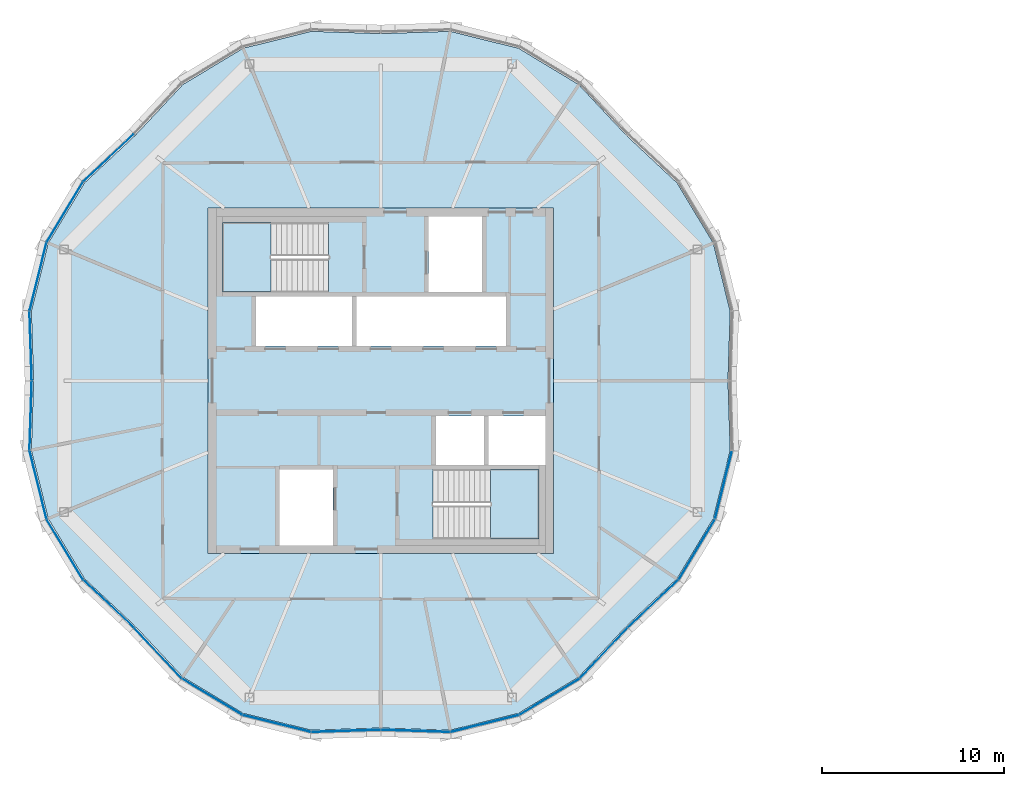
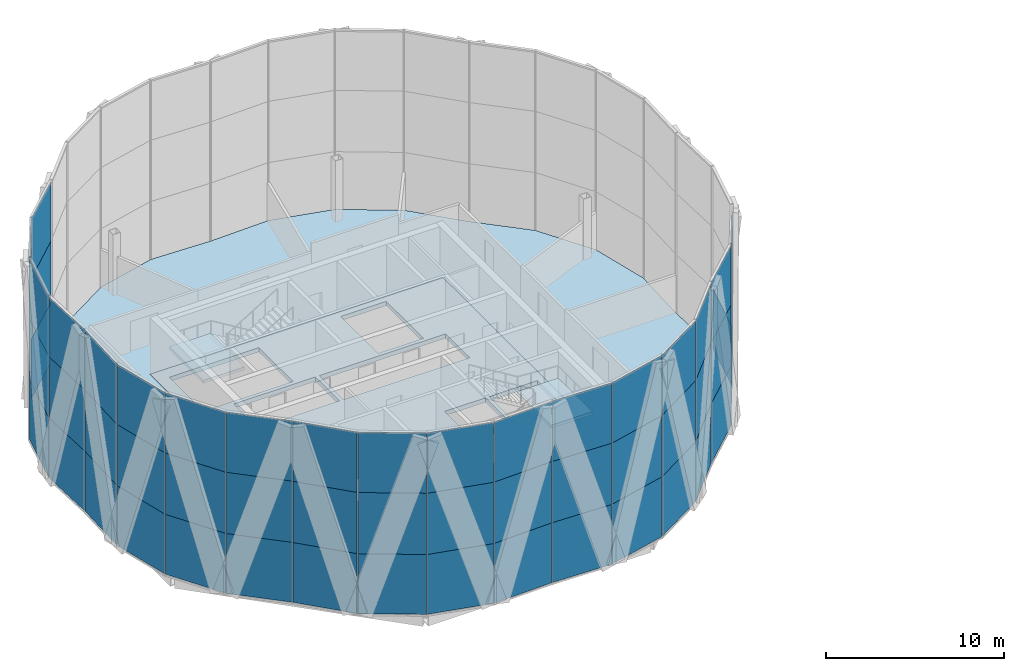
# One storey, part 12 of 23: 55 plates, 4 slabs, 7 elements without a shape of their own.
"""IFC4 building model written with IfcOpenShell, lengths in metres."""

from ifc_helpers import new_model, si_unit, direction, frame, origin, origin_2d, place, context, subcontext, project, spatial, polyline, rectangle, outline, extrude, material, layer, layer_set, type_object, element, aggregate, save


model = new_model("IFC4")

# Units and contexts
model_context = context("Model", 3, precision=1e-05, world=origin(), true_north=direction((0.0, 1.0)))
body_context = subcontext(model_context, "Body", "Model", "MODEL_VIEW")
ifc_project = project(units=[si_unit("LENGTHUNIT", "METRE"), si_unit("AREAUNIT", "SQUARE_METRE"), si_unit("VOLUMEUNIT", "CUBIC_METRE"), si_unit("PLANEANGLEUNIT", "RADIAN"), si_unit("MASSUNIT", "GRAM", prefix="KILO")], contexts=[model_context])

# Site, building, storey
site_placement = place(None, origin())
site = spatial("IfcSite", under=ifc_project, at=site_placement, CompositionType="ELEMENT")
building_placement = place(site_placement, origin())
building = spatial("IfcBuilding", under=site, at=building_placement, Name="Ogive Gate Towers", CompositionType="ELEMENT")
storey_placement = place(building_placement, frame((0.0, 0.0, 256.199951171875)))
storey = spatial("IfcBuildingStorey", under=building, at=storey_placement, Name="L60", CompositionType="ELEMENT", Elevation=256.199951171875)

# Slabs
ifc_material_1 = material(Name="Concrete C40/50", Category="concrete")
ifc_layer_1 = layer(ifc_material_1, 0.300048828125)
ifc_layer_set_1 = layer_set([ifc_layer_1], Name="Core slab C40/50 300 mm")
slab_type_1 = type_object("IfcSlabType", Name="Core slab C40/50 300 mm", PredefinedType="FLOOR", material=ifc_layer_set_1)
slab_1_placement = place(storey_placement, frame((0.0, 0.0, -0.300048828125)))
element("IfcSlab", 1, at=slab_1_placement, inside=storey, type_object=slab_type_1, Name="T1 L60 core slab", PredefinedType="FLOOR", context=body_context, shape_type="SweptSolid", body=[
    extrude(outline(polyline([(-45.5, -9.5), (-45.5, 9.5), (-26.5, 9.5), (-26.5, -9.5), (-45.5, -9.5)]), holes=[polyline([(-42.875, 1.925048828125), (-37.574951171875, 1.925048828125), (-37.574951171875, 4.625), (-42.875, 4.625), (-42.875, 1.925048828125)]), polyline([(-37.324951171875, 4.625), (-37.324951171875, 1.925048828125), (-29.125, 1.925048828125), (-29.125, 4.625), (-37.324951171875, 4.625)]), polyline([(-30.324951171875, -1.925048828125), (-32.97509765625, -1.925048828125), (-32.97509765625, -4.625), (-30.324951171875, -4.625), (-30.324951171875, -1.925048828125)]), polyline([(-26.949951171875, -4.625), (-26.949951171875, -1.925048828125), (-30.074951171875, -1.925048828125), (-30.074951171875, -4.625), (-26.949951171875, -4.625)]), polyline([(-33.375, 4.875), (-30.425048828125, 4.875), (-30.425048828125, 9.050048828125), (-33.375, 9.050048828125), (-33.375, 4.875)]), polyline([(-41.574951171875, -4.875), (-41.574951171875, -9.050048828125), (-38.625, -9.050048828125), (-38.625, -4.875), (-41.574951171875, -4.875)]), polyline([(-44.699951171875, 4.875), (-38.885009765625, 4.875), (-38.885009765625, 8.699951171875), (-44.699951171875, 8.699951171875), (-44.699951171875, 4.875)]), polyline([(-27.300048828125, -8.699951171875), (-27.300048828125, -4.875), (-33.114990234375, -4.875), (-33.114990234375, -8.699951171875), (-27.300048828125, -8.699951171875)])]), origin(), (0.0, 0.0, 1.0), 0.300048828125),
])
ifc_material_2 = material(Name="Concrete C35/45", Category="concrete")
ifc_layer_2 = layer(ifc_material_2, 0.300048828125)
ifc_layer_set_2 = layer_set([ifc_layer_2], Name="Floor slab 300")
slab_type_2 = type_object("IfcSlabType", Name="Floor slab 300", PredefinedType="FLOOR", material=ifc_layer_set_2)
slab_2_placement = place(storey_placement, frame((0.0, 0.0, -0.300048828125)))
element("IfcSlab", 2, at=slab_2_placement, inside=storey, type_object=slab_type_2, Name="T1/L60/SSL001", PredefinedType="FLOOR", context=body_context, shape_type="SweptSolid", body=[
    extrude(outline(polyline([(-16.776611328125, -3.82373046875), (-16.89990234375, 0.0), (-16.776611328125, 3.82373046875), (-17.707275390625, 7.5771484375), (-19.703125, 10.88916015625), (-22.494140625, 13.505859375), (-25.11083984375, 16.296875), (-28.4228515625, 18.292724609375), (-32.17626953125, 19.223388671875), (-36.0, 19.10009765625), (-39.82373046875, 19.223388671875), (-43.5771484375, 18.292724609375), (-46.88916015625, 16.296875), (-49.505859375, 13.505859375), (-52.296875, 10.88916015625), (-54.292724609375, 7.5771484375), (-55.223388671875, 3.82373046875), (-55.10009765625, 0.0), (-55.223388671875, -3.82373046875), (-54.292724609375, -7.5771484375), (-52.296875, -10.88916015625), (-49.505859375, -13.505859375), (-46.88916015625, -16.296875), (-43.5771484375, -18.292724609375), (-39.82373046875, -19.223388671875), (-36.0, -19.10009765625), (-32.17626953125, -19.223388671875), (-28.4228515625, -18.292724609375), (-25.11083984375, -16.296875), (-22.494140625, -13.505859375), (-19.703125, -10.88916015625), (-17.707275390625, -7.5771484375), (-16.776611328125, -3.82373046875)]), holes=[polyline([(-26.5, -9.5), (-45.5, -9.5), (-45.5, 9.5), (-26.5, 9.5), (-26.5, -9.5)])]), origin(), (0.0, 0.0, 1.0), 0.300048828125),
])

# Stair, slab
stair_type = type_object("IfcStairType", Name="Escape stair 1840 wide", PredefinedType="HALF_TURN_STAIR", material=ifc_material_1)
stair_1_placement = place(storey_placement, origin())
stair_1 = element("IfcStair", 3, at=stair_1_placement, inside=storey, type_object=stair_type, Name="L60 Escape stair 1", PredefinedType="HALF_TURN_STAIR")
ifc_layer_3 = layer(ifc_material_1, 0.199951171875)
ifc_layer_set_3 = layer_set([ifc_layer_3], Name="Stair landing 200 mm")
slab_type_3 = type_object("IfcSlabType", Name="Stair landing 200 mm", PredefinedType="LANDING", material=ifc_layer_set_3)
slab_3_placement = place(storey_placement, frame((0.0, 0.0, 1.900146484375)))
slab_3 = element("IfcSlab", 4, at=slab_3_placement, type_object=slab_type_3, Name="ST1 landing 1", PredefinedType="LANDING", context=body_context, shape_type="SweptSolid", body=[
    extrude(outline(polyline([(-42.027587890625, 8.699951171875), (-44.699951171875, 8.699951171875), (-44.699951171875, 4.875), (-42.027587890625, 4.875), (-42.027587890625, 8.699951171875)])), origin(), (0.0, 0.0, 1.0), 0.199951171875),
])
aggregate(stair_1, [slab_3])

stair_2_placement = place(storey_placement, origin())
stair_2 = element("IfcStair", 5, at=stair_2_placement, inside=storey, type_object=stair_type, Name="L60 Escape stair 2", PredefinedType="HALF_TURN_STAIR")
slab_4_placement = place(storey_placement, frame((0.0, 0.0, 1.900146484375)))
slab_4 = element("IfcSlab", 6, at=slab_4_placement, type_object=slab_type_3, Name="ST2 landing 1", PredefinedType="LANDING", context=body_context, shape_type="SweptSolid", body=[
    extrude(outline(polyline([(-29.972412109375, -8.699951171875), (-27.300048828125, -8.699951171875), (-27.300048828125, -4.875), (-29.972412109375, -4.875), (-29.972412109375, -8.699951171875)])), origin(), (0.0, 0.0, 1.0), 0.199951171875),
])
aggregate(stair_2, [slab_4])

# Curtain wall, plates
ifc_material_3 = material(Name="Pale metal aluminium", Category="aluminium")
curtain_wall_type = type_object("IfcCurtainWallType", Name="Tower unitised wall, high zone", PredefinedType="NOTDEFINED", material=ifc_material_3)
curtain_wall_1_placement = place(storey_placement, origin())
curtain_wall_1 = element("IfcCurtainWall", 7, at=curtain_wall_1_placement, inside=storey, type_object=curtain_wall_type, Name="CW2 T1 ECW04", PredefinedType="NOTDEFINED")
ifc_material_4 = material(Name="Clear glass", Category="glass")
ifc_layer_4 = layer(ifc_material_4, 0.028076171875)
ifc_layer_set_4 = layer_set([ifc_layer_4], Name="Tower unitised wall, high zone glass panel")
plate_type = type_object("IfcPlateType", Name="Tower unitised wall, high zone glass panel", PredefinedType="CURTAIN_PANEL", material=ifc_layer_set_4)
plate_1_placement = place(storey_placement, frame((-50.974609375, 12.265869140625, -0.203857421875), z_axis=(0.0, 0.0, 1.0), x_axis=(-0.729541856388, -0.68393616645, 0.0)))
plate_1 = element("IfcPlate", 8, at=plate_1_placement, type_object=plate_type, Name="CW2 glass panel", PredefinedType="CURTAIN_PANEL", context=body_context, shape_type="SweptSolid", body=[
    extrude(rectangle(XDim=3.7783203125, YDim=0.028076171875, at=origin_2d()), origin(), (0.0, 0.0, 1.0), 4.10400390625),
])
plate_2_placement = place(storey_placement, frame((-50.974609375, 12.265869140625, 3.89990234375), z_axis=(0.0, 0.0, 1.0), x_axis=(-0.729541856388, -0.68393616645, 0.0)))
plate_2 = element("IfcPlate", 9, at=plate_2_placement, type_object=plate_type, Name="CW2 glass panel", PredefinedType="CURTAIN_PANEL", context=body_context, shape_type="SweptSolid", body=[
    extrude(rectangle(XDim=3.7783203125, YDim=0.028076171875, at=origin_2d()), origin(), (0.0, 0.0, 1.0), 4.199951171875),
])
plate_3_placement = place(storey_placement, frame((-50.974609375, 12.265869140625, 8.10009765625), z_axis=(0.0, 0.0, 1.0), x_axis=(-0.729541856388, -0.68393616645, 0.0)))
plate_3 = element("IfcPlate", 10, at=plate_3_placement, type_object=plate_type, Name="CW2 glass panel", PredefinedType="CURTAIN_PANEL", context=body_context, shape_type="SweptSolid", body=[
    extrude(rectangle(XDim=3.7783203125, YDim=0.028076171875, at=origin_2d()), origin(), (0.0, 0.0, 1.0), 4.10400390625),
])
plate_4_placement = place(storey_placement, frame((-53.380615234375, 9.2841796875, -0.203857421875), z_axis=(0.0, 0.0, 1.0), x_axis=(-0.51614471402, -0.85650139182, 0.0)))
plate_4 = element("IfcPlate", 11, at=plate_4_placement, type_object=plate_type, Name="CW2 glass panel", PredefinedType="CURTAIN_PANEL", context=body_context, shape_type="SweptSolid", body=[
    extrude(rectangle(XDim=3.833984375, YDim=0.028076171875, at=origin_2d()), origin(), (0.0, 0.0, 1.0), 4.10400390625),
])
plate_5_placement = place(storey_placement, frame((-53.380615234375, 9.2841796875, 3.89990234375), z_axis=(0.0, 0.0, 1.0), x_axis=(-0.51614471402, -0.85650139182, 0.0)))
plate_5 = element("IfcPlate", 12, at=plate_5_placement, type_object=plate_type, Name="CW2 glass panel", PredefinedType="CURTAIN_PANEL", context=body_context, shape_type="SweptSolid", body=[
    extrude(rectangle(XDim=3.833984375, YDim=0.028076171875, at=origin_2d()), origin(), (0.0, 0.0, 1.0), 4.199951171875),
])
plate_6_placement = place(storey_placement, frame((-53.380615234375, 9.2841796875, 8.10009765625), z_axis=(0.0, 0.0, 1.0), x_axis=(-0.51614471402, -0.85650139182, 0.0)))
plate_6 = element("IfcPlate", 13, at=plate_6_placement, type_object=plate_type, Name="CW2 glass panel", PredefinedType="CURTAIN_PANEL", context=body_context, shape_type="SweptSolid", body=[
    extrude(rectangle(XDim=3.833984375, YDim=0.028076171875, at=origin_2d()), origin(), (0.0, 0.0, 1.0), 4.10400390625),
])
plate_7_placement = place(storey_placement, frame((-54.85498046875, 5.72509765625, -0.203857421875), z_axis=(0.0, 0.0, 1.0), x_axis=(-0.240668514894, -0.970607369609, 0.0)))
plate_7 = element("IfcPlate", 14, at=plate_7_placement, type_object=plate_type, Name="CW2 glass panel", PredefinedType="CURTAIN_PANEL", context=body_context, shape_type="SweptSolid", body=[
    extrude(rectangle(XDim=3.833984375, YDim=0.028076171875, at=origin_2d()), origin(), (0.0, 0.0, 1.0), 4.10400390625),
])
plate_8_placement = place(storey_placement, frame((-54.85498046875, 5.72509765625, 3.89990234375), z_axis=(0.0, 0.0, 1.0), x_axis=(-0.240668514894, -0.970607369609, 0.0)))
plate_8 = element("IfcPlate", 15, at=plate_8_placement, type_object=plate_type, Name="CW2 glass panel", PredefinedType="CURTAIN_PANEL", context=body_context, shape_type="SweptSolid", body=[
    extrude(rectangle(XDim=3.833984375, YDim=0.028076171875, at=origin_2d()), origin(), (0.0, 0.0, 1.0), 4.199951171875),
])
plate_9_placement = place(storey_placement, frame((-54.85498046875, 5.72509765625, 8.10009765625), z_axis=(0.0, 0.0, 1.0), x_axis=(-0.240668514894, -0.970607369609, 0.0)))
plate_9 = element("IfcPlate", 16, at=plate_9_placement, type_object=plate_type, Name="CW2 glass panel", PredefinedType="CURTAIN_PANEL", context=body_context, shape_type="SweptSolid", body=[
    extrude(rectangle(XDim=3.833984375, YDim=0.028076171875, at=origin_2d()), origin(), (0.0, 0.0, 1.0), 4.10400390625),
])
plate_10_placement = place(storey_placement, frame((-55.261962890625, 1.915283203125, -0.203857421875), z_axis=(0.0, 0.0, 1.0), x_axis=(0.032248092615, -0.999479895007, 0.0)))
plate_10 = element("IfcPlate", 17, at=plate_10_placement, type_object=plate_type, Name="CW2 glass panel", PredefinedType="CURTAIN_PANEL", context=body_context, shape_type="SweptSolid", body=[
    extrude(rectangle(XDim=3.778564453125, YDim=0.028076171875, at=origin_2d()), origin(), (0.0, 0.0, 1.0), 4.10400390625),
])
plate_11_placement = place(storey_placement, frame((-55.261962890625, 1.915283203125, 3.89990234375), z_axis=(0.0, 0.0, 1.0), x_axis=(0.032248092615, -0.999479895007, 0.0)))
plate_11 = element("IfcPlate", 18, at=plate_11_placement, type_object=plate_type, Name="CW2 glass panel", PredefinedType="CURTAIN_PANEL", context=body_context, shape_type="SweptSolid", body=[
    extrude(rectangle(XDim=3.778564453125, YDim=0.028076171875, at=origin_2d()), origin(), (0.0, 0.0, 1.0), 4.199951171875),
])
plate_12_placement = place(storey_placement, frame((-55.261962890625, 1.915283203125, 8.10009765625), z_axis=(0.0, 0.0, 1.0), x_axis=(0.032248092615, -0.999479895007, 0.0)))
plate_12 = element("IfcPlate", 19, at=plate_12_placement, type_object=plate_type, Name="CW2 glass panel", PredefinedType="CURTAIN_PANEL", context=body_context, shape_type="SweptSolid", body=[
    extrude(rectangle(XDim=3.778564453125, YDim=0.028076171875, at=origin_2d()), origin(), (0.0, 0.0, 1.0), 4.10400390625),
])
aggregate(curtain_wall_1, [plate_1, plate_2, plate_3, plate_4, plate_5, plate_6, plate_7, plate_8, plate_9, plate_10, plate_11, plate_12])

curtain_wall_2_placement = place(storey_placement, origin())
curtain_wall_2 = element("IfcCurtainWall", 20, at=curtain_wall_2_placement, inside=storey, type_object=curtain_wall_type, Name="CW2 T1 ECW05", PredefinedType="NOTDEFINED")
plate_13_placement = place(storey_placement, frame((-55.261962890625, -1.915283203125, -0.203857421875), z_axis=(0.0, 0.0, 1.0), x_axis=(-0.032248092615, -0.999479895007, 0.0)))
plate_13 = element("IfcPlate", 21, at=plate_13_placement, type_object=plate_type, Name="CW2 glass panel", PredefinedType="CURTAIN_PANEL", context=body_context, shape_type="SweptSolid", body=[
    extrude(rectangle(XDim=3.778564453125, YDim=0.028076171875, at=origin_2d()), origin(), (0.0, 0.0, 1.0), 4.10400390625),
])
plate_14_placement = place(storey_placement, frame((-55.261962890625, -1.915283203125, 3.89990234375), z_axis=(0.0, 0.0, 1.0), x_axis=(-0.032248092615, -0.999479895007, 0.0)))
plate_14 = element("IfcPlate", 22, at=plate_14_placement, type_object=plate_type, Name="CW2 glass panel", PredefinedType="CURTAIN_PANEL", context=body_context, shape_type="SweptSolid", body=[
    extrude(rectangle(XDim=3.778564453125, YDim=0.028076171875, at=origin_2d()), origin(), (0.0, 0.0, 1.0), 4.199951171875),
])
plate_15_placement = place(storey_placement, frame((-55.261962890625, -1.915283203125, 8.10009765625), z_axis=(0.0, 0.0, 1.0), x_axis=(-0.032248092615, -0.999479895007, 0.0)))
plate_15 = element("IfcPlate", 23, at=plate_15_placement, type_object=plate_type, Name="CW2 glass panel", PredefinedType="CURTAIN_PANEL", context=body_context, shape_type="SweptSolid", body=[
    extrude(rectangle(XDim=3.778564453125, YDim=0.028076171875, at=origin_2d()), origin(), (0.0, 0.0, 1.0), 4.10400390625),
])
plate_16_placement = place(storey_placement, frame((-54.85498046875, -5.72509765625, -0.203857421875), z_axis=(0.0, 0.0, 1.0), x_axis=(0.240668514894, -0.970607369609, 0.0)))
plate_16 = element("IfcPlate", 24, at=plate_16_placement, type_object=plate_type, Name="CW2 glass panel", PredefinedType="CURTAIN_PANEL", context=body_context, shape_type="SweptSolid", body=[
    extrude(rectangle(XDim=3.833984375, YDim=0.028076171875, at=origin_2d()), origin(), (0.0, 0.0, 1.0), 4.10400390625),
])
plate_17_placement = place(storey_placement, frame((-54.85498046875, -5.72509765625, 3.89990234375), z_axis=(0.0, 0.0, 1.0), x_axis=(0.240668514894, -0.970607369609, 0.0)))
plate_17 = element("IfcPlate", 25, at=plate_17_placement, type_object=plate_type, Name="CW2 glass panel", PredefinedType="CURTAIN_PANEL", context=body_context, shape_type="SweptSolid", body=[
    extrude(rectangle(XDim=3.833984375, YDim=0.028076171875, at=origin_2d()), origin(), (0.0, 0.0, 1.0), 4.199951171875),
])
plate_18_placement = place(storey_placement, frame((-54.85498046875, -5.72509765625, 8.10009765625), z_axis=(0.0, 0.0, 1.0), x_axis=(0.240668514894, -0.970607369609, 0.0)))
plate_18 = element("IfcPlate", 26, at=plate_18_placement, type_object=plate_type, Name="CW2 glass panel", PredefinedType="CURTAIN_PANEL", context=body_context, shape_type="SweptSolid", body=[
    extrude(rectangle(XDim=3.833984375, YDim=0.028076171875, at=origin_2d()), origin(), (0.0, 0.0, 1.0), 4.10400390625),
])
plate_19_placement = place(storey_placement, frame((-53.380615234375, -9.2841796875, -0.203857421875), z_axis=(0.0, 0.0, 1.0), x_axis=(0.51614471402, -0.85650139182, 0.0)))
plate_19 = element("IfcPlate", 27, at=plate_19_placement, type_object=plate_type, Name="CW2 glass panel", PredefinedType="CURTAIN_PANEL", context=body_context, shape_type="SweptSolid", body=[
    extrude(rectangle(XDim=3.833984375, YDim=0.028076171875, at=origin_2d()), origin(), (0.0, 0.0, 1.0), 4.10400390625),
])
plate_20_placement = place(storey_placement, frame((-53.380615234375, -9.2841796875, 3.89990234375), z_axis=(0.0, 0.0, 1.0), x_axis=(0.51614471402, -0.85650139182, 0.0)))
plate_20 = element("IfcPlate", 28, at=plate_20_placement, type_object=plate_type, Name="CW2 glass panel", PredefinedType="CURTAIN_PANEL", context=body_context, shape_type="SweptSolid", body=[
    extrude(rectangle(XDim=3.833984375, YDim=0.028076171875, at=origin_2d()), origin(), (0.0, 0.0, 1.0), 4.199951171875),
])
plate_21_placement = place(storey_placement, frame((-53.380615234375, -9.2841796875, 8.10009765625), z_axis=(0.0, 0.0, 1.0), x_axis=(0.51614471402, -0.85650139182, 0.0)))
plate_21 = element("IfcPlate", 29, at=plate_21_placement, type_object=plate_type, Name="CW2 glass panel", PredefinedType="CURTAIN_PANEL", context=body_context, shape_type="SweptSolid", body=[
    extrude(rectangle(XDim=3.833984375, YDim=0.028076171875, at=origin_2d()), origin(), (0.0, 0.0, 1.0), 4.10400390625),
])
plate_22_placement = place(storey_placement, frame((-50.974609375, -12.265869140625, -0.203857421875), z_axis=(0.0, 0.0, 1.0), x_axis=(0.729541856388, -0.68393616645, 0.0)))
plate_22 = element("IfcPlate", 30, at=plate_22_placement, type_object=plate_type, Name="CW2 glass panel", PredefinedType="CURTAIN_PANEL", context=body_context, shape_type="SweptSolid", body=[
    extrude(rectangle(XDim=3.7783203125, YDim=0.028076171875, at=origin_2d()), origin(), (0.0, 0.0, 1.0), 4.10400390625),
])
plate_23_placement = place(storey_placement, frame((-50.974609375, -12.265869140625, 3.89990234375), z_axis=(0.0, 0.0, 1.0), x_axis=(0.729541856388, -0.68393616645, 0.0)))
plate_23 = element("IfcPlate", 31, at=plate_23_placement, type_object=plate_type, Name="CW2 glass panel", PredefinedType="CURTAIN_PANEL", context=body_context, shape_type="SweptSolid", body=[
    extrude(rectangle(XDim=3.7783203125, YDim=0.028076171875, at=origin_2d()), origin(), (0.0, 0.0, 1.0), 4.199951171875),
])
plate_24_placement = place(storey_placement, frame((-50.974609375, -12.265869140625, 8.10009765625), z_axis=(0.0, 0.0, 1.0), x_axis=(0.729541856388, -0.68393616645, 0.0)))
plate_24 = element("IfcPlate", 32, at=plate_24_placement, type_object=plate_type, Name="CW2 glass panel", PredefinedType="CURTAIN_PANEL", context=body_context, shape_type="SweptSolid", body=[
    extrude(rectangle(XDim=3.7783203125, YDim=0.028076171875, at=origin_2d()), origin(), (0.0, 0.0, 1.0), 4.10400390625),
])
aggregate(curtain_wall_2, [plate_13, plate_14, plate_15, plate_16, plate_17, plate_18, plate_19, plate_20, plate_21, plate_22, plate_23, plate_24])

curtain_wall_3_placement = place(storey_placement, origin())
curtain_wall_3 = element("IfcCurtainWall", 33, at=curtain_wall_3_placement, inside=storey, type_object=curtain_wall_type, Name="CW2 T1 ECW06", PredefinedType="NOTDEFINED")
plate_25_placement = place(storey_placement, frame((-48.265869140625, -14.974609375, -0.203857421875), z_axis=(0.0, 0.0, 1.0), x_axis=(0.68393616645, -0.729541856388, 0.0)))
plate_25 = element("IfcPlate", 34, at=plate_25_placement, type_object=plate_type, Name="CW2 glass panel", PredefinedType="CURTAIN_PANEL", context=body_context, shape_type="SweptSolid", body=[
    extrude(rectangle(XDim=3.7783203125, YDim=0.028076171875, at=origin_2d()), origin(), (0.0, 0.0, 1.0), 4.10400390625),
])
plate_26_placement = place(storey_placement, frame((-48.265869140625, -14.974609375, 3.89990234375), z_axis=(0.0, 0.0, 1.0), x_axis=(0.68393616645, -0.729541856388, 0.0)))
plate_26 = element("IfcPlate", 35, at=plate_26_placement, type_object=plate_type, Name="CW2 glass panel", PredefinedType="CURTAIN_PANEL", context=body_context, shape_type="SweptSolid", body=[
    extrude(rectangle(XDim=3.7783203125, YDim=0.028076171875, at=origin_2d()), origin(), (0.0, 0.0, 1.0), 4.199951171875),
])
plate_27_placement = place(storey_placement, frame((-48.265869140625, -14.974609375, 8.10009765625), z_axis=(0.0, 0.0, 1.0), x_axis=(0.68393616645, -0.729541856388, 0.0)))
plate_27 = element("IfcPlate", 36, at=plate_27_placement, type_object=plate_type, Name="CW2 glass panel", PredefinedType="CURTAIN_PANEL", context=body_context, shape_type="SweptSolid", body=[
    extrude(rectangle(XDim=3.7783203125, YDim=0.028076171875, at=origin_2d()), origin(), (0.0, 0.0, 1.0), 4.10400390625),
])
plate_28_placement = place(storey_placement, frame((-45.2841796875, -17.380615234375, -0.203857421875), z_axis=(0.0, 0.0, 1.0), x_axis=(0.85650139182, -0.51614471402, 0.0)))
plate_28 = element("IfcPlate", 37, at=plate_28_placement, type_object=plate_type, Name="CW2 glass panel", PredefinedType="CURTAIN_PANEL", context=body_context, shape_type="SweptSolid", body=[
    extrude(rectangle(XDim=3.833984375, YDim=0.028076171875, at=origin_2d()), origin(), (0.0, 0.0, 1.0), 4.10400390625),
])
plate_29_placement = place(storey_placement, frame((-45.2841796875, -17.380615234375, 3.89990234375), z_axis=(0.0, 0.0, 1.0), x_axis=(0.85650139182, -0.51614471402, 0.0)))
plate_29 = element("IfcPlate", 38, at=plate_29_placement, type_object=plate_type, Name="CW2 glass panel", PredefinedType="CURTAIN_PANEL", context=body_context, shape_type="SweptSolid", body=[
    extrude(rectangle(XDim=3.833984375, YDim=0.028076171875, at=origin_2d()), origin(), (0.0, 0.0, 1.0), 4.199951171875),
])
plate_30_placement = place(storey_placement, frame((-45.2841796875, -17.380615234375, 8.10009765625), z_axis=(0.0, 0.0, 1.0), x_axis=(0.85650139182, -0.51614471402, 0.0)))
plate_30 = element("IfcPlate", 39, at=plate_30_placement, type_object=plate_type, Name="CW2 glass panel", PredefinedType="CURTAIN_PANEL", context=body_context, shape_type="SweptSolid", body=[
    extrude(rectangle(XDim=3.833984375, YDim=0.028076171875, at=origin_2d()), origin(), (0.0, 0.0, 1.0), 4.10400390625),
])
plate_31_placement = place(storey_placement, frame((-41.72509765625, -18.85498046875, -0.203857421875), z_axis=(0.0, 0.0, 1.0), x_axis=(0.970607369609, -0.240668514894, 0.0)))
plate_31 = element("IfcPlate", 40, at=plate_31_placement, type_object=plate_type, Name="CW2 glass panel", PredefinedType="CURTAIN_PANEL", context=body_context, shape_type="SweptSolid", body=[
    extrude(rectangle(XDim=3.833984375, YDim=0.028076171875, at=origin_2d()), origin(), (0.0, 0.0, 1.0), 4.10400390625),
])
plate_32_placement = place(storey_placement, frame((-41.72509765625, -18.85498046875, 3.89990234375), z_axis=(0.0, 0.0, 1.0), x_axis=(0.970607369609, -0.240668514894, 0.0)))
plate_32 = element("IfcPlate", 41, at=plate_32_placement, type_object=plate_type, Name="CW2 glass panel", PredefinedType="CURTAIN_PANEL", context=body_context, shape_type="SweptSolid", body=[
    extrude(rectangle(XDim=3.833984375, YDim=0.028076171875, at=origin_2d()), origin(), (0.0, 0.0, 1.0), 4.199951171875),
])
plate_33_placement = place(storey_placement, frame((-41.72509765625, -18.85498046875, 8.10009765625), z_axis=(0.0, 0.0, 1.0), x_axis=(0.970607369609, -0.240668514894, 0.0)))
plate_33 = element("IfcPlate", 42, at=plate_33_placement, type_object=plate_type, Name="CW2 glass panel", PredefinedType="CURTAIN_PANEL", context=body_context, shape_type="SweptSolid", body=[
    extrude(rectangle(XDim=3.833984375, YDim=0.028076171875, at=origin_2d()), origin(), (0.0, 0.0, 1.0), 4.10400390625),
])
plate_34_placement = place(storey_placement, frame((-37.915283203125, -19.261962890625, -0.203857421875), z_axis=(0.0, 0.0, 1.0), x_axis=(0.999479895007, 0.032248092615, 0.0)))
plate_34 = element("IfcPlate", 43, at=plate_34_placement, type_object=plate_type, Name="CW2 glass panel", PredefinedType="CURTAIN_PANEL", context=body_context, shape_type="SweptSolid", body=[
    extrude(rectangle(XDim=3.778564453125, YDim=0.028076171875, at=origin_2d()), origin(), (0.0, 0.0, 1.0), 4.10400390625),
])
plate_35_placement = place(storey_placement, frame((-37.915283203125, -19.261962890625, 3.89990234375), z_axis=(0.0, 0.0, 1.0), x_axis=(0.999479895007, 0.032248092615, 0.0)))
plate_35 = element("IfcPlate", 44, at=plate_35_placement, type_object=plate_type, Name="CW2 glass panel", PredefinedType="CURTAIN_PANEL", context=body_context, shape_type="SweptSolid", body=[
    extrude(rectangle(XDim=3.778564453125, YDim=0.028076171875, at=origin_2d()), origin(), (0.0, 0.0, 1.0), 4.199951171875),
])
plate_36_placement = place(storey_placement, frame((-37.915283203125, -19.261962890625, 8.10009765625), z_axis=(0.0, 0.0, 1.0), x_axis=(0.999479895007, 0.032248092615, 0.0)))
plate_36 = element("IfcPlate", 45, at=plate_36_placement, type_object=plate_type, Name="CW2 glass panel", PredefinedType="CURTAIN_PANEL", context=body_context, shape_type="SweptSolid", body=[
    extrude(rectangle(XDim=3.778564453125, YDim=0.028076171875, at=origin_2d()), origin(), (0.0, 0.0, 1.0), 4.10400390625),
])
aggregate(curtain_wall_3, [plate_25, plate_26, plate_27, plate_28, plate_29, plate_30, plate_31, plate_32, plate_33, plate_34, plate_35, plate_36])

curtain_wall_4_placement = place(storey_placement, origin())
curtain_wall_4 = element("IfcCurtainWall", 46, at=curtain_wall_4_placement, inside=storey, type_object=curtain_wall_type, Name="CW2 T1 ECW07", PredefinedType="NOTDEFINED")
plate_37_placement = place(storey_placement, frame((-34.084716796875, -19.261962890625, -0.203857421875), z_axis=(0.0, 0.0, 1.0), x_axis=(0.999479895007, -0.032248092615, 0.0)))
plate_37 = element("IfcPlate", 47, at=plate_37_placement, type_object=plate_type, Name="CW2 glass panel", PredefinedType="CURTAIN_PANEL", context=body_context, shape_type="SweptSolid", body=[
    extrude(rectangle(XDim=3.778564453125, YDim=0.028076171875, at=origin_2d()), origin(), (0.0, 0.0, 1.0), 4.10400390625),
])
plate_38_placement = place(storey_placement, frame((-34.084716796875, -19.261962890625, 3.89990234375), z_axis=(0.0, 0.0, 1.0), x_axis=(0.999479895007, -0.032248092615, 0.0)))
plate_38 = element("IfcPlate", 48, at=plate_38_placement, type_object=plate_type, Name="CW2 glass panel", PredefinedType="CURTAIN_PANEL", context=body_context, shape_type="SweptSolid", body=[
    extrude(rectangle(XDim=3.778564453125, YDim=0.028076171875, at=origin_2d()), origin(), (0.0, 0.0, 1.0), 4.199951171875),
])
plate_39_placement = place(storey_placement, frame((-34.084716796875, -19.261962890625, 8.10009765625), z_axis=(0.0, 0.0, 1.0), x_axis=(0.999479895007, -0.032248092615, 0.0)))
plate_39 = element("IfcPlate", 49, at=plate_39_placement, type_object=plate_type, Name="CW2 glass panel", PredefinedType="CURTAIN_PANEL", context=body_context, shape_type="SweptSolid", body=[
    extrude(rectangle(XDim=3.778564453125, YDim=0.028076171875, at=origin_2d()), origin(), (0.0, 0.0, 1.0), 4.10400390625),
])
plate_40_placement = place(storey_placement, frame((-30.27490234375, -18.85498046875, -0.203857421875), z_axis=(0.0, 0.0, 1.0), x_axis=(0.970607369609, 0.240668514894, 0.0)))
plate_40 = element("IfcPlate", 50, at=plate_40_placement, type_object=plate_type, Name="CW2 glass panel", PredefinedType="CURTAIN_PANEL", context=body_context, shape_type="SweptSolid", body=[
    extrude(rectangle(XDim=3.833984375, YDim=0.028076171875, at=origin_2d()), origin(), (0.0, 0.0, 1.0), 4.10400390625),
])
plate_41_placement = place(storey_placement, frame((-30.27490234375, -18.85498046875, 3.89990234375), z_axis=(0.0, 0.0, 1.0), x_axis=(0.970607369609, 0.240668514894, 0.0)))
plate_41 = element("IfcPlate", 51, at=plate_41_placement, type_object=plate_type, Name="CW2 glass panel", PredefinedType="CURTAIN_PANEL", context=body_context, shape_type="SweptSolid", body=[
    extrude(rectangle(XDim=3.833984375, YDim=0.028076171875, at=origin_2d()), origin(), (0.0, 0.0, 1.0), 4.199951171875),
])
plate_42_placement = place(storey_placement, frame((-30.27490234375, -18.85498046875, 8.10009765625), z_axis=(0.0, 0.0, 1.0), x_axis=(0.970607369609, 0.240668514894, 0.0)))
plate_42 = element("IfcPlate", 52, at=plate_42_placement, type_object=plate_type, Name="CW2 glass panel", PredefinedType="CURTAIN_PANEL", context=body_context, shape_type="SweptSolid", body=[
    extrude(rectangle(XDim=3.833984375, YDim=0.028076171875, at=origin_2d()), origin(), (0.0, 0.0, 1.0), 4.10400390625),
])
plate_43_placement = place(storey_placement, frame((-26.7158203125, -17.380615234375, -0.203857421875), z_axis=(0.0, 0.0, 1.0), x_axis=(0.85650139182, 0.51614471402, 0.0)))
plate_43 = element("IfcPlate", 53, at=plate_43_placement, type_object=plate_type, Name="CW2 glass panel", PredefinedType="CURTAIN_PANEL", context=body_context, shape_type="SweptSolid", body=[
    extrude(rectangle(XDim=3.833984375, YDim=0.028076171875, at=origin_2d()), origin(), (0.0, 0.0, 1.0), 4.10400390625),
])
plate_44_placement = place(storey_placement, frame((-26.7158203125, -17.380615234375, 3.89990234375), z_axis=(0.0, 0.0, 1.0), x_axis=(0.85650139182, 0.51614471402, 0.0)))
plate_44 = element("IfcPlate", 54, at=plate_44_placement, type_object=plate_type, Name="CW2 glass panel", PredefinedType="CURTAIN_PANEL", context=body_context, shape_type="SweptSolid", body=[
    extrude(rectangle(XDim=3.833984375, YDim=0.028076171875, at=origin_2d()), origin(), (0.0, 0.0, 1.0), 4.199951171875),
])
plate_45_placement = place(storey_placement, frame((-26.7158203125, -17.380615234375, 8.10009765625), z_axis=(0.0, 0.0, 1.0), x_axis=(0.85650139182, 0.51614471402, 0.0)))
plate_45 = element("IfcPlate", 55, at=plate_45_placement, type_object=plate_type, Name="CW2 glass panel", PredefinedType="CURTAIN_PANEL", context=body_context, shape_type="SweptSolid", body=[
    extrude(rectangle(XDim=3.833984375, YDim=0.028076171875, at=origin_2d()), origin(), (0.0, 0.0, 1.0), 4.10400390625),
])
plate_46_placement = place(storey_placement, frame((-23.734130859375, -14.974609375, -0.203857421875), z_axis=(0.0, 0.0, 1.0), x_axis=(0.68393616645, 0.729541856388, 0.0)))
plate_46 = element("IfcPlate", 56, at=plate_46_placement, type_object=plate_type, Name="CW2 glass panel", PredefinedType="CURTAIN_PANEL", context=body_context, shape_type="SweptSolid", body=[
    extrude(rectangle(XDim=3.7783203125, YDim=0.028076171875, at=origin_2d()), origin(), (0.0, 0.0, 1.0), 4.10400390625),
])
plate_47_placement = place(storey_placement, frame((-23.734130859375, -14.974609375, 3.89990234375), z_axis=(0.0, 0.0, 1.0), x_axis=(0.68393616645, 0.729541856388, 0.0)))
plate_47 = element("IfcPlate", 57, at=plate_47_placement, type_object=plate_type, Name="CW2 glass panel", PredefinedType="CURTAIN_PANEL", context=body_context, shape_type="SweptSolid", body=[
    extrude(rectangle(XDim=3.7783203125, YDim=0.028076171875, at=origin_2d()), origin(), (0.0, 0.0, 1.0), 4.199951171875),
])
plate_48_placement = place(storey_placement, frame((-23.734130859375, -14.974609375, 8.10009765625), z_axis=(0.0, 0.0, 1.0), x_axis=(0.68393616645, 0.729541856388, 0.0)))
plate_48 = element("IfcPlate", 58, at=plate_48_placement, type_object=plate_type, Name="CW2 glass panel", PredefinedType="CURTAIN_PANEL", context=body_context, shape_type="SweptSolid", body=[
    extrude(rectangle(XDim=3.7783203125, YDim=0.028076171875, at=origin_2d()), origin(), (0.0, 0.0, 1.0), 4.10400390625),
])
aggregate(curtain_wall_4, [plate_37, plate_38, plate_39, plate_40, plate_41, plate_42, plate_43, plate_44, plate_45, plate_46, plate_47, plate_48])

curtain_wall_5_placement = place(storey_placement, origin())
curtain_wall_5 = element("IfcCurtainWall", 59, at=curtain_wall_5_placement, inside=storey, type_object=curtain_wall_type, Name="CW2 T1 ECW08", PredefinedType="NOTDEFINED")
plate_49_placement = place(storey_placement, frame((-21.025390625, -12.265869140625, -0.203857421875), z_axis=(0.0, 0.0, 1.0), x_axis=(0.729541856388, 0.68393616645, 0.0)))
plate_49 = element("IfcPlate", 60, at=plate_49_placement, type_object=plate_type, Name="CW2 glass panel", PredefinedType="CURTAIN_PANEL", context=body_context, shape_type="SweptSolid", body=[
    extrude(rectangle(XDim=3.7783203125, YDim=0.028076171875, at=origin_2d()), origin(), (0.0, 0.0, 1.0), 4.10400390625),
])
plate_50_placement = place(storey_placement, frame((-21.025390625, -12.265869140625, 3.89990234375), z_axis=(0.0, 0.0, 1.0), x_axis=(0.729541856388, 0.68393616645, 0.0)))
plate_50 = element("IfcPlate", 61, at=plate_50_placement, type_object=plate_type, Name="CW2 glass panel", PredefinedType="CURTAIN_PANEL", context=body_context, shape_type="SweptSolid", body=[
    extrude(rectangle(XDim=3.7783203125, YDim=0.028076171875, at=origin_2d()), origin(), (0.0, 0.0, 1.0), 4.199951171875),
])
plate_51_placement = place(storey_placement, frame((-21.025390625, -12.265869140625, 8.10009765625), z_axis=(0.0, 0.0, 1.0), x_axis=(0.729541856388, 0.68393616645, 0.0)))
plate_51 = element("IfcPlate", 62, at=plate_51_placement, type_object=plate_type, Name="CW2 glass panel", PredefinedType="CURTAIN_PANEL", context=body_context, shape_type="SweptSolid", body=[
    extrude(rectangle(XDim=3.7783203125, YDim=0.028076171875, at=origin_2d()), origin(), (0.0, 0.0, 1.0), 4.10400390625),
])
plate_52_placement = place(storey_placement, frame((-18.619384765625, -9.2841796875, -0.203857421875), z_axis=(0.0, 0.0, 1.0), x_axis=(0.51614471402, 0.85650139182, 0.0)))
plate_52 = element("IfcPlate", 63, at=plate_52_placement, type_object=plate_type, Name="CW2 glass panel", PredefinedType="CURTAIN_PANEL", context=body_context, shape_type="SweptSolid", body=[
    extrude(rectangle(XDim=3.833984375, YDim=0.028076171875, at=origin_2d()), origin(), (0.0, 0.0, 1.0), 4.10400390625),
])
plate_53_placement = place(storey_placement, frame((-18.619384765625, -9.2841796875, 3.89990234375), z_axis=(0.0, 0.0, 1.0), x_axis=(0.51614471402, 0.85650139182, 0.0)))
plate_53 = element("IfcPlate", 64, at=plate_53_placement, type_object=plate_type, Name="CW2 glass panel", PredefinedType="CURTAIN_PANEL", context=body_context, shape_type="SweptSolid", body=[
    extrude(rectangle(XDim=3.833984375, YDim=0.028076171875, at=origin_2d()), origin(), (0.0, 0.0, 1.0), 4.199951171875),
])
plate_54_placement = place(storey_placement, frame((-18.619384765625, -9.2841796875, 8.10009765625), z_axis=(0.0, 0.0, 1.0), x_axis=(0.51614471402, 0.85650139182, 0.0)))
plate_54 = element("IfcPlate", 65, at=plate_54_placement, type_object=plate_type, Name="CW2 glass panel", PredefinedType="CURTAIN_PANEL", context=body_context, shape_type="SweptSolid", body=[
    extrude(rectangle(XDim=3.833984375, YDim=0.028076171875, at=origin_2d()), origin(), (0.0, 0.0, 1.0), 4.10400390625),
])
plate_55_placement = place(storey_placement, frame((-17.14501953125, -5.72509765625, -0.203857421875), z_axis=(0.0, 0.0, 1.0), x_axis=(0.240668514894, 0.970607369609, 0.0)))
plate_55 = element("IfcPlate", 66, at=plate_55_placement, type_object=plate_type, Name="CW2 glass panel", PredefinedType="CURTAIN_PANEL", context=body_context, shape_type="SweptSolid", body=[
    extrude(rectangle(XDim=3.833984375, YDim=0.028076171875, at=origin_2d()), origin(), (0.0, 0.0, 1.0), 4.10400390625),
])
aggregate(curtain_wall_5, [plate_49, plate_50, plate_51, plate_52, plate_53, plate_54, plate_55])

save(model, "model.ifc")
